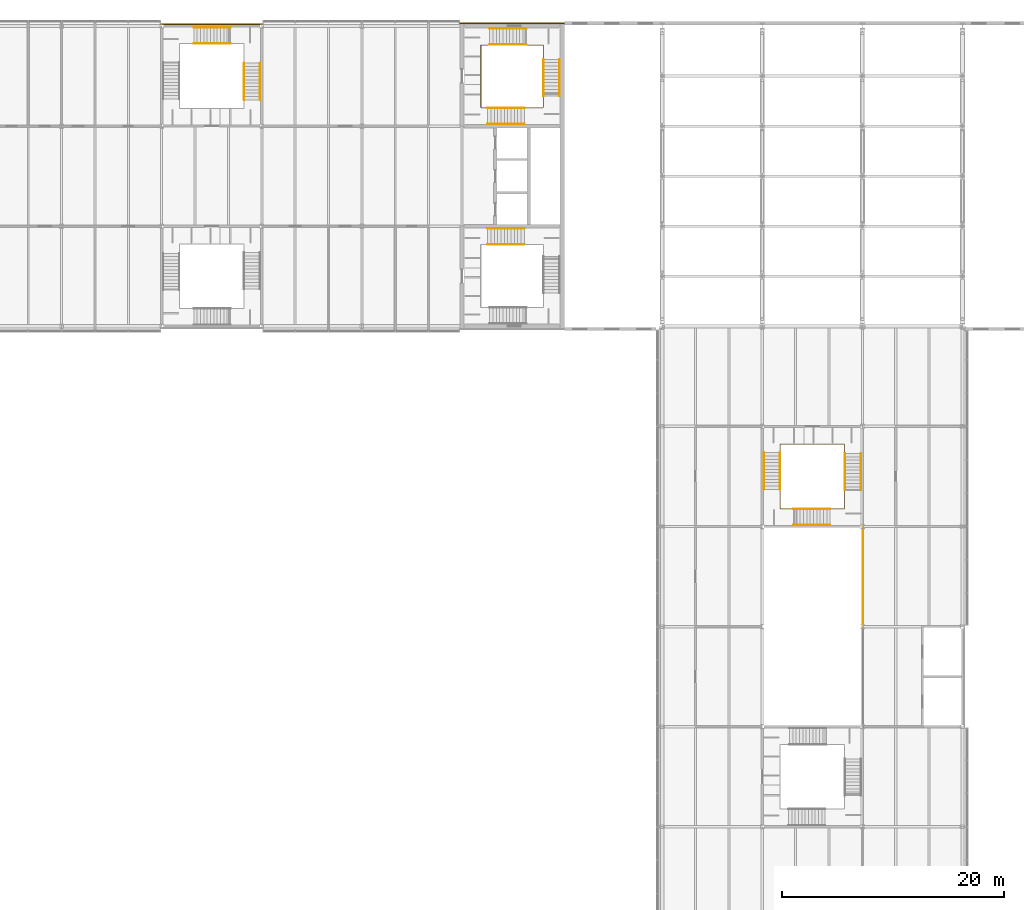
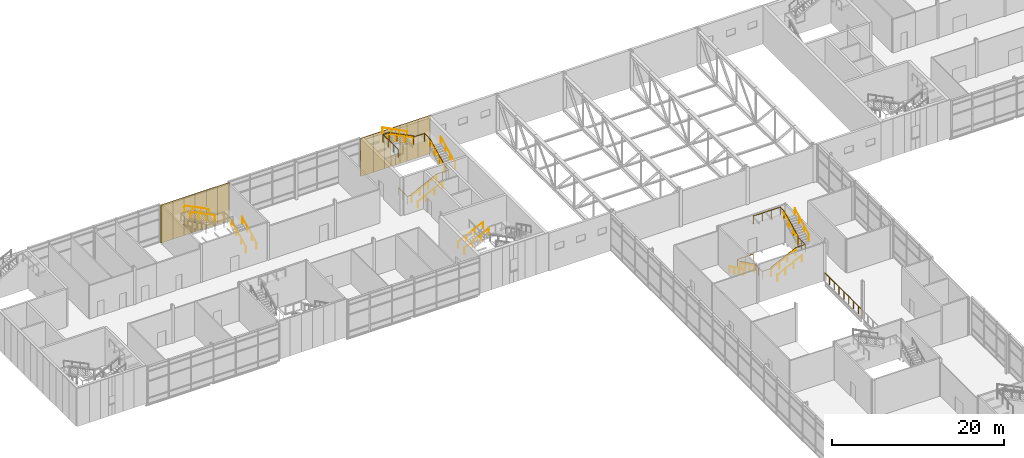
# One storey, part 50 of 53: 21 railings, 16 coverings.
"""IFC4 building model written with IfcOpenShell, lengths in metres."""

from ifc_helpers import new_model, si_unit, direction, frame, origin, origin_2d, place, context, subcontext, project, spatial, rectangle, circle, extrude, material, layer, layer_set, type_object, element, save


model = new_model("IFC4")

# Units and contexts
model_context = context("Model", 3, precision=1e-05, world=origin(), true_north=direction((0.0, 1.0)))
body_context = subcontext(model_context, "Body", "Model", "MODEL_VIEW")
ifc_project = project(units=[si_unit("LENGTHUNIT", "METRE"), si_unit("AREAUNIT", "SQUARE_METRE"), si_unit("VOLUMEUNIT", "CUBIC_METRE"), si_unit("PLANEANGLEUNIT", "RADIAN"), si_unit("MASSUNIT", "GRAM", prefix="KILO")], contexts=[model_context])

# Site, building, storey
site_placement = place(None, origin())
site = spatial("IfcSite", under=ifc_project, at=site_placement, CompositionType="ELEMENT")
building_placement = place(site_placement, origin())
building = spatial("IfcBuilding", under=site, at=building_placement, Name="Azimuth Sports and Learning Centre", CompositionType="ELEMENT")
storey_placement = place(building_placement, frame((0.0, 0.0, 10.800048828125)))
storey = spatial("IfcBuildingStorey", under=building, at=storey_placement, Name="L02", CompositionType="ELEMENT", Elevation=10.800048828125)

# Coverings
ifc_material_1 = material(Name="Cladding panel")
ifc_layer = layer(ifc_material_1, 0.10009765625)
ifc_layer_set = layer_set([ifc_layer], Name="Cladding panel")
covering_type = type_object("IfcCoveringType", Name="Cladding panel 100", PredefinedType="CLADDING", material=ifc_layer_set)
covering_1_placement = place(storey_placement, frame((62.35009765625, 117.25, 0.0), z_axis=(0.0, 0.0, 1.0), x_axis=(-1.0, 0.0, 0.0)))
element("IfcCovering", 1, at=covering_1_placement, inside=storey, type_object=covering_type, Name="Cladding panel N-CORE W L02 1", PredefinedType="CLADDING", context=body_context, shape_type="SweptSolid", body=[
    extrude(rectangle(XDim=1.699951171875, YDim=0.10009765625, at=origin_2d()), origin(), (0.0, 0.0, 1.0), 5.39990234375),
])
covering_2_placement = place(storey_placement, frame((60.75, 117.25, 0.0), z_axis=(0.0, 0.0, 1.0), x_axis=(-1.0, 0.0, 0.0)))
element("IfcCovering", 2, at=covering_2_placement, inside=storey, type_object=covering_type, Name="Cladding panel N-CORE W L02 2", PredefinedType="CLADDING", context=body_context, shape_type="SweptSolid", body=[
    extrude(rectangle(XDim=1.5, YDim=0.10009765625, at=origin_2d()), origin(), (0.0, 0.0, 1.0), 5.39990234375),
])
covering_3_placement = place(storey_placement, frame((59.550048828125, 117.25, 0.0), z_axis=(0.0, 0.0, 1.0), x_axis=(-1.0, 0.0, 0.0)))
element("IfcCovering", 3, at=covering_3_placement, inside=storey, type_object=covering_type, Name="Cladding panel N-CORE W L02 3", PredefinedType="CLADDING", context=body_context, shape_type="SweptSolid", body=[
    extrude(rectangle(XDim=0.89990234375, YDim=0.10009765625, at=origin_2d()), origin(), (0.0, 0.0, 1.0), 5.39990234375),
])
covering_4_placement = place(storey_placement, frame((58.800048828125, 117.25, 0.0), z_axis=(0.0, 0.0, 1.0), x_axis=(-1.0, 0.0, 0.0)))
element("IfcCovering", 4, at=covering_4_placement, inside=storey, type_object=covering_type, Name="Cladding panel N-CORE W L02 4", PredefinedType="CLADDING", context=body_context, shape_type="SweptSolid", body=[
    extrude(rectangle(XDim=0.60009765625, YDim=0.10009765625, at=origin_2d()), origin(), (0.0, 0.0, 1.0), 1.5),
])
covering_5_placement = place(storey_placement, frame((58.800048828125, 117.25, 3.2998046875), z_axis=(0.0, 0.0, 1.0), x_axis=(-1.0, 0.0, 0.0)))
element("IfcCovering", 5, at=covering_5_placement, inside=storey, type_object=covering_type, Name="Cladding panel N-CORE W L02 5", PredefinedType="CLADDING", context=body_context, shape_type="SweptSolid", body=[
    extrude(rectangle(XDim=0.60009765625, YDim=0.10009765625, at=origin_2d()), origin(), (0.0, 0.0, 1.0), 2.10009765625),
])
covering_6_placement = place(storey_placement, frame((57.449951171875, 117.25, 0.0), z_axis=(0.0, 0.0, 1.0), x_axis=(-1.0, 0.0, 0.0)))
element("IfcCovering", 6, at=covering_6_placement, inside=storey, type_object=covering_type, Name="Cladding panel N-CORE W L02 6", PredefinedType="CLADDING", context=body_context, shape_type="SweptSolid", body=[
    extrude(rectangle(XDim=0.89990234375, YDim=0.10009765625, at=origin_2d()), origin(), (0.0, 0.0, 1.0), 5.39990234375),
])
covering_7_placement = place(storey_placement, frame((58.199951171875, 117.25, 0.0), z_axis=(0.0, 0.0, 1.0), x_axis=(-1.0, 0.0, 0.0)))
element("IfcCovering", 7, at=covering_7_placement, inside=storey, type_object=covering_type, Name="Cladding panel N-CORE W L02 7", PredefinedType="CLADDING", context=body_context, shape_type="SweptSolid", body=[
    extrude(rectangle(XDim=0.60009765625, YDim=0.10009765625, at=origin_2d()), origin(), (0.0, 0.0, 1.0), 1.5),
])
covering_8_placement = place(storey_placement, frame((58.199951171875, 117.25, 3.2998046875), z_axis=(0.0, 0.0, 1.0), x_axis=(-1.0, 0.0, 0.0)))
element("IfcCovering", 8, at=covering_8_placement, inside=storey, type_object=covering_type, Name="Cladding panel N-CORE W L02 8", PredefinedType="CLADDING", context=body_context, shape_type="SweptSolid", body=[
    extrude(rectangle(XDim=0.60009765625, YDim=0.10009765625, at=origin_2d()), origin(), (0.0, 0.0, 1.0), 2.10009765625),
])
covering_9_placement = place(storey_placement, frame((56.25, 117.25, 0.0), z_axis=(0.0, 0.0, 1.0), x_axis=(-1.0, 0.0, 0.0)))
element("IfcCovering", 9, at=covering_9_placement, inside=storey, type_object=covering_type, Name="Cladding panel N-CORE W L02 9", PredefinedType="CLADDING", context=body_context, shape_type="SweptSolid", body=[
    extrude(rectangle(XDim=1.5, YDim=0.10009765625, at=origin_2d()), origin(), (0.0, 0.0, 1.0), 5.39990234375),
])
covering_10_placement = place(storey_placement, frame((54.64990234375, 117.25, 0.0), z_axis=(0.0, 0.0, 1.0), x_axis=(-1.0, 0.0, 0.0)))
element("IfcCovering", 10, at=covering_10_placement, inside=storey, type_object=covering_type, Name="Cladding panel N-CORE W L02 10", PredefinedType="CLADDING", context=body_context, shape_type="SweptSolid", body=[
    extrude(rectangle(XDim=1.699951171875, YDim=0.10009765625, at=origin_2d()), origin(), (0.0, 0.0, 1.0), 5.39990234375),
])
covering_11_placement = place(storey_placement, frame((35.300048828125, 117.14990234375, 0.0), z_axis=(0.0, 0.0, 1.0), x_axis=(-1.0, 0.0, 0.0)))
element("IfcCovering", 11, at=covering_11_placement, inside=storey, type_object=covering_type, Name="Cladding panel N-WM2 L02 1", PredefinedType="CLADDING", context=body_context, shape_type="SweptSolid", body=[
    extrude(rectangle(XDim=1.60009765625, YDim=0.10009765625, at=origin_2d()), origin(), (0.0, 0.0, 1.0), 5.39990234375),
])
for number, where, z_axis, x_axis, name in (
    (12, (33.75, 117.14990234375, 0.0), (0.0, 0.0, 1.0), (-1.0, 0.0, 0.0), "Cladding panel N-WM2 L02 2"),
    (13, (32.25, 117.14990234375, 0.0), (0.0, 0.0, 1.0), (-1.0, 0.0, 0.0), "Cladding panel N-WM2 L02 3"),
    (14, (30.75, 117.14990234375, 0.0), (0.0, 0.0, 1.0), (-1.0, 0.0, 0.0), "Cladding panel N-WM2 L02 4"),
    (15, (29.25, 117.14990234375, 0.0), (0.0, 0.0, 1.0), (-1.0, 0.0, 0.0), "Cladding panel N-WM2 L02 5"),
):
    element("IfcCovering", number, at=place(storey_placement, frame(where, z_axis=z_axis, x_axis=x_axis)), inside=storey, type_object=covering_type, Name=name, PredefinedType="CLADDING", context=body_context, shape_type="SweptSolid", body=[
        extrude(rectangle(XDim=1.5, YDim=0.10009765625, at=origin_2d()), origin(), (0.0, 0.0, 1.0), 5.39990234375),
    ])
covering_12_placement = place(storey_placement, frame((27.699951171875, 117.14990234375, 0.0), z_axis=(0.0, 0.0, 1.0), x_axis=(-1.0, 0.0, 0.0)))
element("IfcCovering", 16, at=covering_12_placement, inside=storey, type_object=covering_type, Name="Cladding panel N-WM2 L02 6", PredefinedType="CLADDING", context=body_context, shape_type="SweptSolid", body=[
    extrude(rectangle(XDim=1.60009765625, YDim=0.10009765625, at=origin_2d()), origin(), (0.0, 0.0, 1.0), 5.39990234375),
])

# Railings
ifc_material_2 = material(Name="Steel balustrade", Category="steel")
railing_type_1 = type_object("IfcRailingType", Name="Guard 1100", PredefinedType="GUARDRAIL", material=ifc_material_2)
railing_1_placement = place(storey_placement, frame((90.070068359375, 63.0, 0.0)))
element("IfcRailing", 17, at=railing_1_placement, inside=storey, type_object=railing_type_1, Name="Atrium guard", PredefinedType="GUARDRAIL", context=body_context, shape_type="SweptSolid", body=[
    extrude(circle(Radius=0.02392578125, at=origin_2d()), frame((0.0, 0.0, 1.076171875), z_axis=(0.0, 1.0, 0.0), x_axis=(-1.0, 0.0, 0.0)), (0.0, 0.0, 1.0), 9.0),
    extrude(circle(Radius=0.02099609375, at=origin_2d()), origin(), (0.0, 0.0, 1.0), 1.052001953125),
    extrude(circle(Radius=0.02099609375, at=origin_2d()), frame((0.0, 1.125, 0.0)), (0.0, 0.0, 1.0), 1.052001953125),
    extrude(circle(Radius=0.02099609375, at=origin_2d()), frame((0.0, 2.25, 0.0)), (0.0, 0.0, 1.0), 1.052001953125),
    extrude(circle(Radius=0.02099609375, at=origin_2d()), frame((0.0, 3.375, 0.0)), (0.0, 0.0, 1.0), 1.052001953125),
    extrude(circle(Radius=0.02099609375, at=origin_2d()), frame((0.0, 4.5, 0.0)), (0.0, 0.0, 1.0), 1.052001953125),
    extrude(circle(Radius=0.02099609375, at=origin_2d()), frame((0.0, 5.625, 0.0)), (0.0, 0.0, 1.0), 1.052001953125),
    extrude(circle(Radius=0.02099609375, at=origin_2d()), frame((0.0, 6.75, 0.0)), (0.0, 0.0, 1.0), 1.052001953125),
    extrude(circle(Radius=0.02099609375, at=origin_2d()), frame((0.0, 7.875, 0.0)), (0.0, 0.0, 1.0), 1.052001953125),
    extrude(circle(Radius=0.02099609375, at=origin_2d()), frame((0.0, 9.0, 0.0)), (0.0, 0.0, 1.0), 1.052001953125),
])
ifc_material_3 = material(Name="Stainless steel", Category="steel")
railing_type_2 = type_object("IfcRailingType", Name="Stair guard 1100", PredefinedType="GUARDRAIL", material=ifc_material_3)
railing_2_placement = place(storey_placement, frame((55.7099609375, 111.75, 0.0)))
element("IfcRailing", 18, at=railing_2_placement, inside=storey, type_object=railing_type_2, Name="Guard W2 L02 well", PredefinedType="GUARDRAIL", context=body_context, shape_type="SweptSolid", body=[
    extrude(circle(Radius=0.02392578125, at=origin_2d()), frame((0.0, 0.0, 1.076171875), z_axis=(0.0, -1.0, 0.0), x_axis=(1.0, 0.0, 0.0)), (0.0, 0.0, 1.0), 2.090087890625),
    extrude(circle(Radius=0.02392578125, at=origin_2d()), frame((0.0, -2.090087890625, 1.076171875), z_axis=(1.0, 0.0, 0.0), x_axis=(0.0, 1.0, 0.0)), (0.0, 0.0, 1.0), 0.60009765625),
    extrude(circle(Radius=0.02392578125, at=origin_2d()), frame((0.60009765625, -2.090087890625, 1.076171875), z_axis=(0.0, 0.0, 1.0), x_axis=(1.0, 0.0, 0.0)), (0.0, 0.0, 1.0), 0.14990234375),
    extrude(circle(Radius=0.02392578125, at=origin_2d()), frame((0.60009765625, -2.090087890625, 1.22607421875), z_axis=(0.894413956696, 0.0, 0.447240063129), x_axis=(0.0, 1.0, 0.0)), (0.0, 0.0, 1.0), 3.689697265625),
    extrude(circle(Radius=0.02392578125, at=origin_2d()), frame((3.900146484375, -2.090087890625, 2.8759765625), z_axis=(1.0, 0.0, 0.0), x_axis=(0.0, 1.0, 0.0)), (0.0, 0.0, 1.0), 1.679931640625),
    extrude(circle(Radius=0.02392578125, at=origin_2d()), frame((5.580078125, -2.090087890625, 2.8759765625), z_axis=(0.0, 1.0, 0.0), x_axis=(-1.0, 0.0, 0.0)), (0.0, 0.0, 1.0), 1.050048828125),
    extrude(circle(Radius=0.02392578125, at=origin_2d()), frame((5.580078125, -1.0400390625, 2.8759765625), z_axis=(0.0, 0.0, 1.0), x_axis=(1.0, 0.0, 0.0)), (0.0, 0.0, 1.0), 0.14990234375),
    extrude(circle(Radius=0.02392578125, at=origin_2d()), frame((5.580078125, -1.0400390625, 3.02587890625), z_axis=(0.0, 0.894440424912, 0.447187126696), x_axis=(-1.0, 0.0, 0.0)), (0.0, 0.0, 1.0), 3.689453125),
    extrude(circle(Radius=0.02392578125, at=origin_2d()), frame((5.580078125, 2.260009765625, 4.67578125), z_axis=(0.0, 1.0, 0.0), x_axis=(-1.0, 0.0, 0.0)), (0.0, 0.0, 1.0), 1.280029296875),
    extrude(circle(Radius=0.02392578125, at=origin_2d()), frame((5.580078125, 3.5400390625, 4.67578125), z_axis=(-1.0, 0.0, 0.0), x_axis=(0.0, -1.0, 0.0)), (0.0, 0.0, 1.0), 1.5),
    extrude(circle(Radius=0.02392578125, at=origin_2d()), frame((4.080078125, 3.5400390625, 4.67578125), z_axis=(0.0, 0.0, 1.0), x_axis=(1.0, 0.0, 0.0)), (0.0, 0.0, 1.0), 0.150146484375),
    extrude(circle(Radius=0.02392578125, at=origin_2d()), frame((4.080078125, 3.5400390625, 4.826171875), z_axis=(-0.894440424912, 0.0, 0.447187126696), x_axis=(0.0, -1.0, 0.0)), (0.0, 0.0, 1.0), 3.689453125),
    extrude(circle(Radius=0.02392578125, at=origin_2d()), frame((0.780029296875, 3.5400390625, 6.47607421875), z_axis=(-1.0, 0.0, 0.0), x_axis=(0.0, -1.0, 0.0)), (0.0, 0.0, 1.0), 0.780029296875),
    extrude(circle(Radius=0.02392578125, at=origin_2d()), frame((0.0, 3.5400390625, 6.47607421875), z_axis=(0.0, -1.0, 0.0), x_axis=(1.0, 0.0, 0.0)), (0.0, 0.0, 1.0), 3.5400390625),
    extrude(circle(Radius=0.01611328125, at=origin_2d()), origin(), (0.0, 0.0, 1.0), 1.052001953125),
    extrude(circle(Radius=0.01611328125, at=origin_2d()), frame((0.0, -1.044921875, 0.0)), (0.0, 0.0, 1.0), 1.052001953125),
    extrude(circle(Radius=0.01611328125, at=origin_2d()), frame((0.0, -2.090087890625, 0.0)), (0.0, 0.0, 1.0), 1.052001953125),
    extrude(circle(Radius=0.01611328125, at=origin_2d()), frame((0.60009765625, -2.090087890625, 0.0)), (0.0, 0.0, 1.0), 1.052001953125),
    extrude(circle(Radius=0.01611328125, at=origin_2d()), frame((0.60009765625, -2.090087890625, 0.14990234375)), (0.0, 0.0, 1.0), 1.052001953125),
    extrude(circle(Radius=0.01611328125, at=origin_2d()), frame((1.7001953125, -2.090087890625, 0.699951171875)), (0.0, 0.0, 1.0), 1.052001953125),
    extrude(circle(Radius=0.01611328125, at=origin_2d()), frame((2.800048828125, -2.090087890625, 1.25)), (0.0, 0.0, 1.0), 1.052001953125),
    extrude(circle(Radius=0.01611328125, at=origin_2d()), frame((3.900146484375, -2.090087890625, 1.800048828125)), (0.0, 0.0, 1.0), 1.052001953125),
    extrude(circle(Radius=0.01611328125, at=origin_2d()), frame((4.740234375, -2.090087890625, 1.800048828125)), (0.0, 0.0, 1.0), 1.052001953125),
    extrude(circle(Radius=0.01611328125, at=origin_2d()), frame((5.580078125, -2.090087890625, 1.800048828125)), (0.0, 0.0, 1.0), 1.052001953125),
    extrude(circle(Radius=0.01611328125, at=origin_2d()), frame((5.580078125, -1.0400390625, 1.800048828125)), (0.0, 0.0, 1.0), 1.052001953125),
    extrude(circle(Radius=0.01611328125, at=origin_2d()), frame((5.580078125, -1.0400390625, 1.949951171875)), (0.0, 0.0, 1.0), 1.052001953125),
    extrude(circle(Radius=0.01611328125, at=origin_2d()), frame((5.580078125, 0.06005859375, 2.5)), (0.0, 0.0, 1.0), 1.052001953125),
    extrude(circle(Radius=0.01611328125, at=origin_2d()), frame((5.580078125, 1.159912109375, 3.0498046875)), (0.0, 0.0, 1.0), 1.052001953125),
    extrude(circle(Radius=0.01611328125, at=origin_2d()), frame((5.580078125, 2.260009765625, 3.599853515625)), (0.0, 0.0, 1.0), 1.052001953125),
    extrude(circle(Radius=0.01611328125, at=origin_2d()), frame((5.580078125, 3.5400390625, 3.599853515625)), (0.0, 0.0, 1.0), 1.052001953125),
    extrude(circle(Radius=0.01611328125, at=origin_2d()), frame((4.080078125, 3.5400390625, 3.599853515625)), (0.0, 0.0, 1.0), 1.052001953125),
    extrude(circle(Radius=0.01611328125, at=origin_2d()), frame((4.080078125, 3.5400390625, 3.75)), (0.0, 0.0, 1.0), 1.052001953125),
    extrude(circle(Radius=0.01611328125, at=origin_2d()), frame((2.97998046875, 3.5400390625, 4.300048828125)), (0.0, 0.0, 1.0), 1.052001953125),
    extrude(circle(Radius=0.01611328125, at=origin_2d()), frame((1.880126953125, 3.5400390625, 4.849853515625)), (0.0, 0.0, 1.0), 1.052001953125),
    extrude(circle(Radius=0.01611328125, at=origin_2d()), frame((0.780029296875, 3.5400390625, 5.39990234375)), (0.0, 0.0, 1.0), 1.052001953125),
    extrude(circle(Radius=0.01611328125, at=origin_2d()), frame((0.0, 3.5400390625, 5.39990234375)), (0.0, 0.0, 1.0), 1.052001953125),
    extrude(circle(Radius=0.01611328125, at=origin_2d()), frame((0.0, 2.360107421875, 5.39990234375)), (0.0, 0.0, 1.0), 1.052001953125),
    extrude(circle(Radius=0.01611328125, at=origin_2d()), frame((0.0, 1.179931640625, 5.39990234375)), (0.0, 0.0, 1.0), 1.052001953125),
    extrude(circle(Radius=0.01611328125, at=origin_2d()), frame((0.0, 0.0, 5.39990234375)), (0.0, 0.0, 1.0), 1.052001953125),
])
railing_3_placement = place(storey_placement, frame((84.75, 79.389892578125, 0.0)))
element("IfcRailing", 19, at=railing_3_placement, inside=storey, type_object=railing_type_2, Name="Guard STD L02 well", PredefinedType="GUARDRAIL", context=body_context, shape_type="SweptSolid", body=[
    extrude(circle(Radius=0.02392578125, at=origin_2d()), frame((0.0, 0.0, 1.076171875), z_axis=(-1.0, 0.0, 0.0), x_axis=(0.0, -1.0, 0.0)), (0.0, 0.0, 1.0), 2.139892578125),
    extrude(circle(Radius=0.02392578125, at=origin_2d()), frame((-2.139892578125, 0.0, 1.076171875), z_axis=(0.0, -1.0, 0.0), x_axis=(1.0, 0.0, 0.0)), (0.0, 0.0, 1.0), 0.75),
    extrude(circle(Radius=0.02392578125, at=origin_2d()), frame((-2.139892578125, -0.75, 1.076171875), z_axis=(0.0, 0.0, 1.0), x_axis=(1.0, 0.0, 0.0)), (0.0, 0.0, 1.0), 0.14990234375),
    extrude(circle(Radius=0.02392578125, at=origin_2d()), frame((-2.139892578125, -0.75, 1.22607421875), z_axis=(0.0, -0.894400720042, 0.447266533499), x_axis=(1.0, 0.0, 0.0)), (0.0, 0.0, 1.0), 3.689453125),
    extrude(circle(Radius=0.02392578125, at=origin_2d()), frame((-2.139892578125, -4.0498046875, 2.8759765625), z_axis=(0.0, -1.0, 0.0), x_axis=(1.0, 0.0, 0.0)), (0.0, 0.0, 1.0), 1.72998046875),
    extrude(circle(Radius=0.02392578125, at=origin_2d()), frame((-2.139892578125, -5.77978515625, 2.8759765625), z_axis=(1.0, 0.0, 0.0), x_axis=(0.0, 1.0, 0.0)), (0.0, 0.0, 1.0), 1.199951171875),
    extrude(circle(Radius=0.02392578125, at=origin_2d()), frame((-0.93994140625, -5.77978515625, 2.8759765625), z_axis=(0.0, 0.0, 1.0), x_axis=(1.0, 0.0, 0.0)), (0.0, 0.0, 1.0), 0.14990234375),
    extrude(circle(Radius=0.02392578125, at=origin_2d()), frame((-0.93994140625, -5.77978515625, 3.02587890625), z_axis=(0.894440424912, 0.0, 0.447187126696), x_axis=(0.0, 1.0, 0.0)), (0.0, 0.0, 1.0), 3.689453125),
    extrude(circle(Radius=0.02392578125, at=origin_2d()), frame((2.360107421875, -5.77978515625, 4.67578125), z_axis=(1.0, 0.0, 0.0), x_axis=(0.0, 1.0, 0.0)), (0.0, 0.0, 1.0), 1.27978515625),
    extrude(circle(Radius=0.02392578125, at=origin_2d()), frame((3.639892578125, -5.77978515625, 4.67578125), z_axis=(0.0, 1.0, 0.0), x_axis=(-1.0, 0.0, 0.0)), (0.0, 0.0, 1.0), 1.64990234375),
    extrude(circle(Radius=0.02392578125, at=origin_2d()), frame((3.639892578125, -4.1298828125, 4.67578125), z_axis=(0.0, 0.0, 1.0), x_axis=(1.0, 0.0, 0.0)), (0.0, 0.0, 1.0), 0.150146484375),
    extrude(circle(Radius=0.02392578125, at=origin_2d()), frame((3.639892578125, -4.1298828125, 4.826171875), z_axis=(0.0, 0.894440424912, 0.447187126696), x_axis=(-1.0, 0.0, 0.0)), (0.0, 0.0, 1.0), 3.689453125),
    extrude(circle(Radius=0.02392578125, at=origin_2d()), frame((3.639892578125, -0.829833984375, 6.47607421875), z_axis=(0.0, 1.0, 0.0), x_axis=(-1.0, 0.0, 0.0)), (0.0, 0.0, 1.0), 0.829833984375),
    extrude(circle(Radius=0.02392578125, at=origin_2d()), frame((3.639892578125, 0.0, 6.47607421875), z_axis=(-1.0, 0.0, 0.0), x_axis=(0.0, -1.0, 0.0)), (0.0, 0.0, 1.0), 3.639892578125),
    extrude(circle(Radius=0.01611328125, at=origin_2d()), origin(), (0.0, 0.0, 1.0), 1.052001953125),
    extrude(circle(Radius=0.01611328125, at=origin_2d()), frame((-1.06982421875, 0.0, 0.0)), (0.0, 0.0, 1.0), 1.052001953125),
    extrude(circle(Radius=0.01611328125, at=origin_2d()), frame((-2.139892578125, 0.0, 0.0)), (0.0, 0.0, 1.0), 1.052001953125),
    extrude(circle(Radius=0.01611328125, at=origin_2d()), frame((-2.139892578125, -0.75, 0.0)), (0.0, 0.0, 1.0), 1.052001953125),
    extrude(circle(Radius=0.01611328125, at=origin_2d()), frame((-2.139892578125, -0.75, 0.14990234375)), (0.0, 0.0, 1.0), 1.052001953125),
    extrude(circle(Radius=0.01611328125, at=origin_2d()), frame((-2.139892578125, -1.849853515625, 0.699951171875)), (0.0, 0.0, 1.0), 1.052001953125),
    extrude(circle(Radius=0.01611328125, at=origin_2d()), frame((-2.139892578125, -2.949951171875, 1.25)), (0.0, 0.0, 1.0), 1.052001953125),
    extrude(circle(Radius=0.01611328125, at=origin_2d()), frame((-2.139892578125, -4.0498046875, 1.800048828125)), (0.0, 0.0, 1.0), 1.052001953125),
    extrude(circle(Radius=0.01611328125, at=origin_2d()), frame((-2.139892578125, -4.914794921875, 1.800048828125)), (0.0, 0.0, 1.0), 1.052001953125),
    extrude(circle(Radius=0.01611328125, at=origin_2d()), frame((-2.139892578125, -5.77978515625, 1.800048828125)), (0.0, 0.0, 1.0), 1.052001953125),
    extrude(circle(Radius=0.01611328125, at=origin_2d()), frame((-0.93994140625, -5.77978515625, 1.800048828125)), (0.0, 0.0, 1.0), 1.052001953125),
    extrude(circle(Radius=0.01611328125, at=origin_2d()), frame((-0.93994140625, -5.77978515625, 1.949951171875)), (0.0, 0.0, 1.0), 1.052001953125),
    extrude(circle(Radius=0.01611328125, at=origin_2d()), frame((0.16015625, -5.77978515625, 2.5)), (0.0, 0.0, 1.0), 1.052001953125),
    extrude(circle(Radius=0.01611328125, at=origin_2d()), frame((1.260009765625, -5.77978515625, 3.0498046875)), (0.0, 0.0, 1.0), 1.052001953125),
    extrude(circle(Radius=0.01611328125, at=origin_2d()), frame((2.360107421875, -5.77978515625, 3.599853515625)), (0.0, 0.0, 1.0), 1.052001953125),
    extrude(circle(Radius=0.01611328125, at=origin_2d()), frame((3.639892578125, -5.77978515625, 3.599853515625)), (0.0, 0.0, 1.0), 1.052001953125),
    extrude(circle(Radius=0.01611328125, at=origin_2d()), frame((3.639892578125, -4.954833984375, 3.599853515625)), (0.0, 0.0, 1.0), 1.052001953125),
    extrude(circle(Radius=0.01611328125, at=origin_2d()), frame((3.639892578125, -4.1298828125, 3.599853515625)), (0.0, 0.0, 1.0), 1.052001953125),
    extrude(circle(Radius=0.01611328125, at=origin_2d()), frame((3.639892578125, -4.1298828125, 3.75)), (0.0, 0.0, 1.0), 1.052001953125),
    extrude(circle(Radius=0.01611328125, at=origin_2d()), frame((3.639892578125, -3.02978515625, 4.300048828125)), (0.0, 0.0, 1.0), 1.052001953125),
    extrude(circle(Radius=0.01611328125, at=origin_2d()), frame((3.639892578125, -1.929931640625, 4.849853515625)), (0.0, 0.0, 1.0), 1.052001953125),
    extrude(circle(Radius=0.01611328125, at=origin_2d()), frame((3.639892578125, -0.829833984375, 5.39990234375)), (0.0, 0.0, 1.0), 1.052001953125),
    extrude(circle(Radius=0.01611328125, at=origin_2d()), frame((3.639892578125, 0.0, 5.39990234375)), (0.0, 0.0, 1.0), 1.052001953125),
    extrude(circle(Radius=0.01611328125, at=origin_2d()), frame((2.426513671875, 0.0, 5.39990234375)), (0.0, 0.0, 1.0), 1.052001953125),
    extrude(circle(Radius=0.01611328125, at=origin_2d()), frame((1.21337890625, 0.0, 5.39990234375)), (0.0, 0.0, 1.0), 1.052001953125),
    extrude(circle(Radius=0.01611328125, at=origin_2d()), frame((0.0, 0.0, 5.39990234375)), (0.0, 0.0, 1.0), 1.052001953125),
])
ifc_material_4 = material(Name="Stainless steel", Category="steel")
railing_type_3 = type_object("IfcRailingType", Name="Stair handrail 42", PredefinedType="HANDRAIL", material=ifc_material_4)
for number, where, name in (
    (20, (56.31005859375, 97.3701171875, 0.14990234375), "Handrail W1 L02 flight 1 inner"),
    (21, (56.31005859375, 98.81005859375, 0.14990234375), "Handrail W1 L02 flight 1 outer"),
    (22, (56.31005859375, 109.6298828125, 0.14990234375), "Handrail W2 L02 flight 1 inner"),
    (23, (56.31005859375, 108.18994140625, 0.14990234375), "Handrail W2 L02 flight 1 outer"),
):
    element("IfcRailing", number, at=place(storey_placement, frame(where)), inside=storey, type_object=railing_type_3, Name=name, PredefinedType="HANDRAIL", context=body_context, shape_type="SweptSolid", body=[
        extrude(circle(Radius=0.02099609375, at=origin_2d()), frame((0.0, 0.0, 0.87890625), z_axis=(0.894413956696, 0.0, 0.447240063129), x_axis=(0.0, 1.0, 0.0)), (0.0, 0.0, 1.0), 3.689697265625),
        extrude(circle(Radius=0.01611328125, at=origin_2d()), origin(), (0.0, 0.0, 1.0), 0.85791015625),
        extrude(circle(Radius=0.01611328125, at=origin_2d()), frame((1.10009765625, 0.0, 0.550048828125)), (0.0, 0.0, 1.0), 0.85791015625),
        extrude(circle(Radius=0.01611328125, at=origin_2d()), frame((2.199951171875, 0.0, 1.10009765625)), (0.0, 0.0, 1.0), 0.85791015625),
        extrude(circle(Radius=0.01611328125, at=origin_2d()), frame((3.300048828125, 0.0, 1.650146484375)), (0.0, 0.0, 1.0), 0.85791015625),
    ])
for number, where, name in (
    (24, (61.320068359375, 110.7099609375, 1.949951171875), "Handrail W2 L02 flight 2 inner"),
    (25, (62.760009765625, 110.7099609375, 1.949951171875), "Handrail W2 L02 flight 2 outer"),
):
    element("IfcRailing", number, at=place(storey_placement, frame(where)), inside=storey, type_object=railing_type_3, Name=name, PredefinedType="HANDRAIL", context=body_context, shape_type="SweptSolid", body=[
        extrude(circle(Radius=0.02099609375, at=origin_2d()), frame((0.0, 0.0, 0.87890625), z_axis=(0.0, 0.894440424912, 0.447187126696), x_axis=(-1.0, 0.0, 0.0)), (0.0, 0.0, 1.0), 3.689453125),
        extrude(circle(Radius=0.01611328125, at=origin_2d()), origin(), (0.0, 0.0, 1.0), 0.85791015625),
        extrude(circle(Radius=0.01611328125, at=origin_2d()), frame((0.0, 1.10009765625, 0.550048828125)), (0.0, 0.0, 1.0), 0.85791015625),
        extrude(circle(Radius=0.01611328125, at=origin_2d()), frame((0.0, 2.199951171875, 1.099853515625)), (0.0, 0.0, 1.0), 0.85791015625),
        extrude(circle(Radius=0.01611328125, at=origin_2d()), frame((0.0, 3.300048828125, 1.64990234375)), (0.0, 0.0, 1.0), 0.85791015625),
    ])
for number, where, name in (
    (26, (59.7900390625, 115.320068359375, 3.75), "Handrail W2 L02 flight 3 inner"),
    (27, (59.7900390625, 116.760009765625, 3.75), "Handrail W2 L02 flight 3 outer"),
):
    element("IfcRailing", number, at=place(storey_placement, frame(where)), inside=storey, type_object=railing_type_3, Name=name, PredefinedType="HANDRAIL", context=body_context, shape_type="SweptSolid", body=[
        extrude(circle(Radius=0.02099609375, at=origin_2d()), frame((0.0, 0.0, 0.87890625), z_axis=(-0.894440424912, 0.0, 0.447187126696), x_axis=(0.0, -1.0, 0.0)), (0.0, 0.0, 1.0), 3.689453125),
        extrude(circle(Radius=0.01611328125, at=origin_2d()), origin(), (0.0, 0.0, 1.0), 0.85791015625),
        extrude(circle(Radius=0.01611328125, at=origin_2d()), frame((-1.10009765625, 0.0, 0.550048828125)), (0.0, 0.0, 1.0), 0.85791015625),
        extrude(circle(Radius=0.01611328125, at=origin_2d()), frame((-2.199951171875, 0.0, 1.099853515625)), (0.0, 0.0, 1.0), 0.85791015625),
        extrude(circle(Radius=0.01611328125, at=origin_2d()), frame((-3.300048828125, 0.0, 1.64990234375)), (0.0, 0.0, 1.0), 0.85791015625),
    ])
for number, where, name in (
    (28, (34.419921875, 110.360107421875, 0.14990234375), "Handrail WM2 L02 flight 1 inner"),
    (29, (35.860107421875, 110.360107421875, 0.14990234375), "Handrail WM2 L02 flight 1 outer"),
):
    element("IfcRailing", number, at=place(storey_placement, frame(where)), inside=storey, type_object=railing_type_3, Name=name, PredefinedType="HANDRAIL", context=body_context, shape_type="SweptSolid", body=[
        extrude(circle(Radius=0.02099609375, at=origin_2d()), frame((0.0, 0.0, 0.87890625), z_axis=(0.0, 0.894400720042, 0.447266533499), x_axis=(-1.0, 0.0, 0.0)), (0.0, 0.0, 1.0), 3.689453125),
        extrude(circle(Radius=0.01611328125, at=origin_2d()), origin(), (0.0, 0.0, 1.0), 0.85791015625),
        extrude(circle(Radius=0.01611328125, at=origin_2d()), frame((0.0, 1.099853515625, 0.550048828125)), (0.0, 0.0, 1.0), 0.85791015625),
        extrude(circle(Radius=0.01611328125, at=origin_2d()), frame((0.0, 2.199951171875, 1.10009765625)), (0.0, 0.0, 1.0), 0.85791015625),
        extrude(circle(Radius=0.01611328125, at=origin_2d()), frame((0.0, 3.2998046875, 1.650146484375)), (0.0, 0.0, 1.0), 0.85791015625),
    ])
for number, where, name in (
    (30, (33.18994140625, 115.419921875, 1.949951171875), "Handrail WM2 L02 flight 2 inner"),
    (31, (33.18994140625, 116.860107421875, 1.949951171875), "Handrail WM2 L02 flight 2 outer"),
):
    element("IfcRailing", number, at=place(storey_placement, frame(where)), inside=storey, type_object=railing_type_3, Name=name, PredefinedType="HANDRAIL", context=body_context, shape_type="SweptSolid", body=[
        extrude(circle(Radius=0.02099609375, at=origin_2d()), frame((0.0, 0.0, 0.87890625), z_axis=(-0.894440424912, 0.0, 0.447187126696), x_axis=(0.0, -1.0, 0.0)), (0.0, 0.0, 1.0), 3.689453125),
        extrude(circle(Radius=0.01611328125, at=origin_2d()), origin(), (0.0, 0.0, 1.0), 0.85791015625),
        extrude(circle(Radius=0.01611328125, at=origin_2d()), frame((-1.10009765625, 0.0, 0.550048828125)), (0.0, 0.0, 1.0), 0.85791015625),
        extrude(circle(Radius=0.01611328125, at=origin_2d()), frame((-2.199951171875, 0.0, 1.099853515625)), (0.0, 0.0, 1.0), 0.85791015625),
        extrude(circle(Radius=0.01611328125, at=origin_2d()), frame((-3.300048828125, 0.0, 1.64990234375)), (0.0, 0.0, 1.0), 0.85791015625),
    ])
for number, where, name in (
    (32, (82.580078125, 78.639892578125, 0.14990234375), "Handrail STD L02 flight 1 inner"),
    (33, (81.139892578125, 78.639892578125, 0.14990234375), "Handrail STD L02 flight 1 outer"),
):
    element("IfcRailing", number, at=place(storey_placement, frame(where)), inside=storey, type_object=railing_type_3, Name=name, PredefinedType="HANDRAIL", context=body_context, shape_type="SweptSolid", body=[
        extrude(circle(Radius=0.02099609375, at=origin_2d()), frame((0.0, 0.0, 0.87890625), z_axis=(0.0, -0.894400720042, 0.447266533499), x_axis=(1.0, 0.0, 0.0)), (0.0, 0.0, 1.0), 3.689453125),
        extrude(circle(Radius=0.01611328125, at=origin_2d()), origin(), (0.0, 0.0, 1.0), 0.85791015625),
        extrude(circle(Radius=0.01611328125, at=origin_2d()), frame((0.0, -1.099853515625, 0.550048828125)), (0.0, 0.0, 1.0), 0.85791015625),
        extrude(circle(Radius=0.01611328125, at=origin_2d()), frame((0.0, -2.199951171875, 1.10009765625)), (0.0, 0.0, 1.0), 0.85791015625),
        extrude(circle(Radius=0.01611328125, at=origin_2d()), frame((0.0, -3.2998046875, 1.650146484375)), (0.0, 0.0, 1.0), 0.85791015625),
    ])
for number, where, name in (
    (34, (83.81005859375, 73.580078125, 1.949951171875), "Handrail STD L02 flight 2 inner"),
    (35, (83.81005859375, 72.139892578125, 1.949951171875), "Handrail STD L02 flight 2 outer"),
):
    element("IfcRailing", number, at=place(storey_placement, frame(where)), inside=storey, type_object=railing_type_3, Name=name, PredefinedType="HANDRAIL", context=body_context, shape_type="SweptSolid", body=[
        extrude(circle(Radius=0.02099609375, at=origin_2d()), frame((0.0, 0.0, 0.87890625), z_axis=(0.894440424912, 0.0, 0.447187126696), x_axis=(0.0, 1.0, 0.0)), (0.0, 0.0, 1.0), 3.689453125),
        extrude(circle(Radius=0.01611328125, at=origin_2d()), origin(), (0.0, 0.0, 1.0), 0.85791015625),
        extrude(circle(Radius=0.01611328125, at=origin_2d()), frame((1.10009765625, 0.0, 0.550048828125)), (0.0, 0.0, 1.0), 0.85791015625),
        extrude(circle(Radius=0.01611328125, at=origin_2d()), frame((2.199951171875, 0.0, 1.099853515625)), (0.0, 0.0, 1.0), 0.85791015625),
        extrude(circle(Radius=0.01611328125, at=origin_2d()), frame((3.300048828125, 0.0, 1.64990234375)), (0.0, 0.0, 1.0), 0.85791015625),
    ])
for number, where, name in (
    (36, (88.419921875, 75.260009765625, 3.75), "Handrail STD L02 flight 3 inner"),
    (37, (89.860107421875, 75.260009765625, 3.75), "Handrail STD L02 flight 3 outer"),
):
    element("IfcRailing", number, at=place(storey_placement, frame(where)), inside=storey, type_object=railing_type_3, Name=name, PredefinedType="HANDRAIL", context=body_context, shape_type="SweptSolid", body=[
        extrude(circle(Radius=0.02099609375, at=origin_2d()), frame((0.0, 0.0, 0.87890625), z_axis=(0.0, 0.894440424912, 0.447187126696), x_axis=(-1.0, 0.0, 0.0)), (0.0, 0.0, 1.0), 3.689453125),
        extrude(circle(Radius=0.01611328125, at=origin_2d()), origin(), (0.0, 0.0, 1.0), 0.85791015625),
        extrude(circle(Radius=0.01611328125, at=origin_2d()), frame((0.0, 1.10009765625, 0.550048828125)), (0.0, 0.0, 1.0), 0.85791015625),
        extrude(circle(Radius=0.01611328125, at=origin_2d()), frame((0.0, 2.199951171875, 1.099853515625)), (0.0, 0.0, 1.0), 0.85791015625),
        extrude(circle(Radius=0.01611328125, at=origin_2d()), frame((0.0, 3.300048828125, 1.64990234375)), (0.0, 0.0, 1.0), 0.85791015625),
    ])

save(model, "model.ifc")
